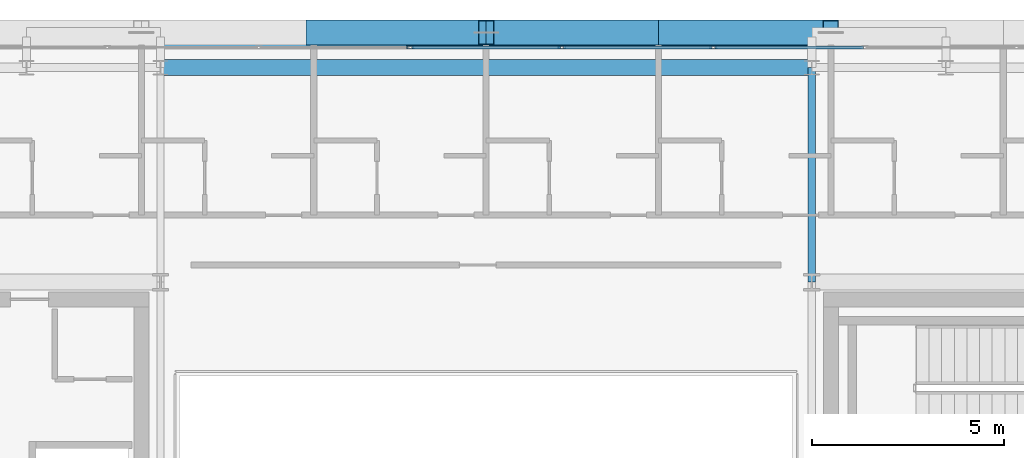
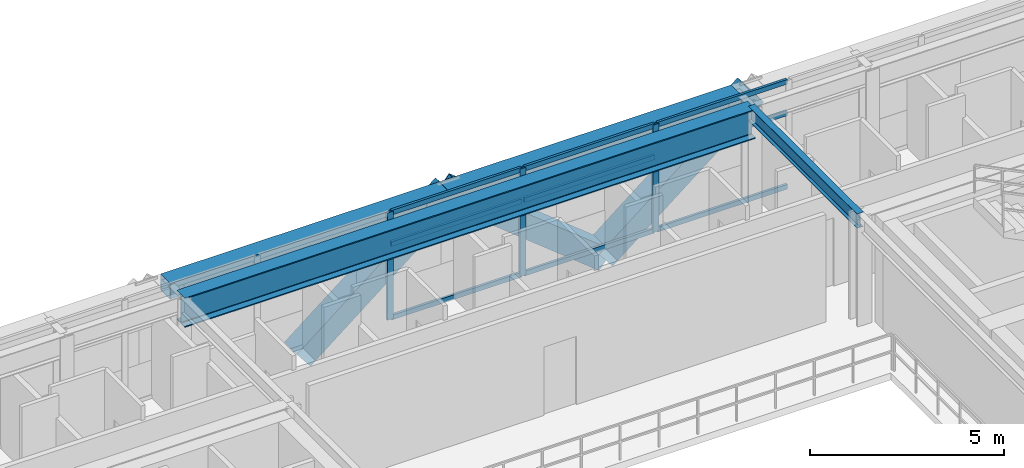
# One storey, part 14 of 28: 15 members, 3 beams, 1 element without a shape of its own.
"""IFC4 building model written with IfcOpenShell, lengths in metres."""

from ifc_helpers import new_model, si_unit, direction, frame, origin, origin_2d, place, context, subcontext, project, spatial, hollow_rectangle, i_section, extrude, source, transform, mapped, material, layer, layer_set, material_profile, profile_set, type_object, element, aggregate, save


model = new_model("IFC4")

# Units and contexts
model_context = context("Model", 3, precision=1e-05, world=origin(), true_north=direction((0.0, 1.0)))
body_context = subcontext(model_context, "Body", "Model", "MODEL_VIEW")
ifc_project = project(units=[si_unit("LENGTHUNIT", "METRE"), si_unit("AREAUNIT", "SQUARE_METRE"), si_unit("VOLUMEUNIT", "CUBIC_METRE"), si_unit("PLANEANGLEUNIT", "RADIAN"), si_unit("MASSUNIT", "GRAM", prefix="KILO")], contexts=[model_context])

# Site, building, storey
site_placement = place(None, origin())
site = spatial("IfcSite", under=ifc_project, at=site_placement, CompositionType="ELEMENT")
building_placement = place(site_placement, origin())
building = spatial("IfcBuilding", under=site, at=building_placement, Name="Ocotamira Hotel", CompositionType="ELEMENT")
storey_placement = place(building_placement, frame((0.0, 0.0, 240.0)))
storey = spatial("IfcBuildingStorey", under=building, at=storey_placement, Name="L60", CompositionType="ELEMENT", Elevation=240.0)

# Beams
ifc_material_1 = material(Name="Steel ASTM A992 Grade 50", Category="steel")
ifc_material_profile_1 = material_profile(ifc_material_1, i_section(OverallWidth=0.41796875, OverallDepth=0.927001953125, WebThickness=0.019287109375, FlangeThickness=0.031982421875, FilletRadius=0.02392578125, at=origin_2d()), Name="W36X231")
ifc_profile_set_1 = profile_set([ifc_material_profile_1], Name="Steel ASTM A992 Grade 50")
beam_type_1 = type_object("IfcBeamType", Name="BM-GIRD-W36X231", PredefinedType="BEAM", material=ifc_profile_set_1)
shared_shape_1 = source(origin(), body_context, "Body", "SweptSolid", [
    extrude(i_section(OverallWidth=0.41796875, OverallDepth=0.927001953125, WebThickness=0.019287109375, FlangeThickness=0.031982421875, FilletRadius=0.02392578125, at=origin_2d()), origin(), (0.0, 0.0, 1.0), 17.0),
])
beam_1_placement = place(storey_placement, frame((23.5, 43.050048828125, 2.91650390625), z_axis=(1.0, 0.0, 0.0), x_axis=(0.0, 1.0, 0.0)))
element("IfcBeam", 1, at=beam_1_placement, inside=storey, type_object=beam_type_1, Name="L60 Girder Y43.05 X23.5-40.5", PredefinedType="BEAM", context=body_context, shape_type="MappedRepresentation", body=[
    mapped(shared_shape_1, transform((0.0, 0.0, 0.0), scale=1.0)),
])
ifc_material_2 = material(Name="Steel ASTM A500 Grade C", Category="steel")
ifc_material_profile_2 = material_profile(ifc_material_2, hollow_rectangle(XDim=0.5, YDim=0.5, WallThickness=0.02001953125, at=origin_2d()), Name="HSS500X500X20")
ifc_profile_set_2 = profile_set([ifc_material_profile_2], Name="Steel ASTM A500 Grade C")
beam_type_2 = type_object("IfcBeamType", Name="BM-SPAN-HSS500", PredefinedType="USERDEFINED", material=ifc_profile_set_2)
shared_shape_2 = source(origin(), body_context, "Body", "SweptSolid", [
    extrude(hollow_rectangle(XDim=0.5, YDim=0.5, WallThickness=0.02001953125, at=origin_2d()), origin(), (0.0, 0.0, 1.0), 17.0),
])
beam_2_placement = place(storey_placement, frame((23.5, 43.85009765625, 3.1298828125), z_axis=(1.0, 0.0, 0.0), x_axis=(0.0, 1.0, 0.0)))
element("IfcBeam", 2, at=beam_2_placement, inside=storey, type_object=beam_type_2, Name="L60 Edge Spandrel N X23.5-40.5", ObjectType="SPANDREL", PredefinedType="USERDEFINED", context=body_context, shape_type="MappedRepresentation", body=[
    mapped(shared_shape_2, transform((0.0, 0.0, 0.0), scale=1.0)),
])
ifc_material_profile_3 = material_profile(ifc_material_1, i_section(OverallWidth=0.18994140625, OverallDepth=0.45703125, WebThickness=0.009033203125, FlangeThickness=0.014404296875, FilletRadius=0.010009765625, at=origin_2d()), Name="W18X50")
ifc_profile_set_3 = profile_set([ifc_material_profile_3], Name="Steel ASTM A992 Grade 50")
beam_type_3 = type_object("IfcBeamType", Name="BM-SEC-W18X50", PredefinedType="JOIST", material=ifc_profile_set_3)
shared_shape_3 = source(origin(), body_context, "Body", "SweptSolid", [
    extrude(i_section(OverallWidth=0.18994140625, OverallDepth=0.45703125, WebThickness=0.009033203125, FlangeThickness=0.014404296875, FilletRadius=0.010009765625, at=origin_2d()), origin(), (0.0, 0.0, 1.0), 5.60009765625),
])
beam_3_placement = place(storey_placement, frame((40.5, 37.449951171875, 3.151611328125), z_axis=(0.0, 1.0, 0.0), x_axis=(-1.0, 0.0, 0.0)))
element("IfcBeam", 3, at=beam_3_placement, inside=storey, type_object=beam_type_3, Name="L60 Beam X40.5 Y37.45-43.05", PredefinedType="JOIST", context=body_context, shape_type="MappedRepresentation", body=[
    mapped(shared_shape_3, transform((0.0, 0.0, 0.0), scale=1.0)),
])

# Members
ifc_material_3 = material(Name="Pale-metal coated steel ASTM A913 Grade 65", Category="steel")
ifc_material_profile_4 = material_profile(ifc_material_3, hollow_rectangle(XDim=0.64990234375, YDim=0.64990234375, WallThickness=0.02197265625, at=origin_2d()), Name="BOX650X650X22")
ifc_profile_set_4 = profile_set([ifc_material_profile_4], Name="Pale-metal coated steel ASTM A913 Grade 65")
member_type_1 = type_object("IfcMemberType", Name="MEM-EXO-BOX650", PredefinedType="BRACE", material=ifc_profile_set_4)
shared_shape_4 = source(origin(), body_context, "Body", "SweptSolid", [
    extrude(hollow_rectangle(XDim=0.64990234375, YDim=0.64990234375, WallThickness=0.02197265625, at=origin_2d()), origin(), (0.0, 0.0, 1.0), 5.7626953125),
])
for number, where, z_axis, x_axis, name in (
    (4, (27.5, 43.969970703125, -0.469970703125), (0.780881208953, 0.0, 0.624679547852), (0.0, 1.0, 0.0), "L60 Exoskeleton Diagrid N1.2"),
    (5, (36.5, 43.969970703125, -0.469970703125), (-0.780881208953, 0.0, 0.624679547852), (0.0, -1.0, 0.0), "L60 Exoskeleton Diagrid N2.1"),
    (6, (36.5, 43.969970703125, -0.469970703125), (0.780881208953, 0.0, 0.624679547852), (0.0, 1.0, 0.0), "L60 Exoskeleton Diagrid N2.2"),
):
    element("IfcMember", number, at=place(storey_placement, frame(where, z_axis=z_axis, x_axis=x_axis)), inside=storey, type_object=member_type_1, Name=name, PredefinedType="BRACE", context=body_context, shape_type="MappedRepresentation", body=[
        mapped(shared_shape_4, transform((0.0, 0.0, 0.0), scale=1.0)),
    ])

# Curtain wall, members
ifc_material_4 = material(Name="Anodised pale-metal aluminium and solar glass", Category="aluminium")
ifc_layer = layer(ifc_material_4, 0.239990234375)
ifc_layer_set = layer_set([ifc_layer], Name="Anodised pale-metal aluminium and solar glass")
curtain_wall_type = type_object("IfcCurtainWallType", Name="CW-SYS5-SKY", PredefinedType="NOTDEFINED", material=ifc_layer_set)
curtain_wall_placement = place(storey_placement, origin())
curtain_wall = element("IfcCurtainWall", 7, at=curtain_wall_placement, inside=storey, type_object=curtain_wall_type, Name="L60 Curtain Wall CW-5 CW-L60-N", PredefinedType="NOTDEFINED")
ifc_material_5 = material(Name="Anodised pale-metal aluminium 6063-T6", Category="aluminium")
ifc_material_profile_5 = material_profile(ifc_material_5, hollow_rectangle(XDim=0.074951171875, YDim=0.14990234375, WallThickness=0.006103515625, at=origin_2d()), Name="HSS150X75X6")
ifc_profile_set_5 = profile_set([ifc_material_profile_5], Name="Anodised pale-metal aluminium 6063-T6")
member_type_2 = type_object("IfcMemberType", Name="CWT-150X75", PredefinedType="USERDEFINED", material=ifc_profile_set_5)
shared_shape_5 = source(origin(), body_context, "Body", "SweptSolid", [
    extrude(hollow_rectangle(XDim=0.074951171875, YDim=0.14990234375, WallThickness=0.006103515625, at=origin_2d()), origin(), (0.0, 0.0, 1.0), 3.87548828125),
])
member_1_placement = place(storey_placement, frame((30.062255859375, 43.580078125, 0.03759765625), z_axis=(1.0, 0.0, 0.0), x_axis=(0.0, 1.0, 0.0)))
member_1 = element("IfcMember", 8, at=member_1_placement, type_object=member_type_2, Name="CW-5 transom 5.1", ObjectType="TRANSOM", PredefinedType="USERDEFINED", context=body_context, shape_type="MappedRepresentation", body=[
    mapped(shared_shape_5, transform((0.0, 0.0, 0.0), scale=1.0)),
])
member_2_placement = place(storey_placement, frame((30.062255859375, 43.580078125, 2.35009765625), z_axis=(1.0, 0.0, 0.0), x_axis=(0.0, 1.0, 0.0)))
member_2 = element("IfcMember", 9, at=member_2_placement, type_object=member_type_2, Name="CW-5 transom 5.2", ObjectType="TRANSOM", PredefinedType="USERDEFINED", context=body_context, shape_type="MappedRepresentation", body=[
    mapped(shared_shape_5, transform((0.0, 0.0, 0.0), scale=1.0)),
])
member_3_placement = place(storey_placement, frame((30.062255859375, 43.580078125, 3.342529296875), z_axis=(1.0, 0.0, 0.0), x_axis=(0.0, 1.0, 0.0)))
member_3 = element("IfcMember", 10, at=member_3_placement, type_object=member_type_2, Name="CW-5 transom 5.3", ObjectType="TRANSOM", PredefinedType="USERDEFINED", context=body_context, shape_type="MappedRepresentation", body=[
    mapped(shared_shape_5, transform((0.0, 0.0, 0.0), scale=1.0)),
])
member_4_placement = place(storey_placement, frame((34.017822265625, 43.580078125, 0.03759765625), z_axis=(1.0, 0.0, 0.0), x_axis=(0.0, 1.0, 0.0)))
member_4 = element("IfcMember", 11, at=member_4_placement, type_object=member_type_2, Name="CW-5 transom 6.1", ObjectType="TRANSOM", PredefinedType="USERDEFINED", context=body_context, shape_type="MappedRepresentation", body=[
    mapped(shared_shape_5, transform((0.0, 0.0, 0.0), scale=1.0)),
])
member_5_placement = place(storey_placement, frame((34.017822265625, 43.580078125, 2.35009765625), z_axis=(1.0, 0.0, 0.0), x_axis=(0.0, 1.0, 0.0)))
member_5 = element("IfcMember", 12, at=member_5_placement, type_object=member_type_2, Name="CW-5 transom 6.2", ObjectType="TRANSOM", PredefinedType="USERDEFINED", context=body_context, shape_type="MappedRepresentation", body=[
    mapped(shared_shape_5, transform((0.0, 0.0, 0.0), scale=1.0)),
])
member_6_placement = place(storey_placement, frame((34.017822265625, 43.580078125, 3.342529296875), z_axis=(1.0, 0.0, 0.0), x_axis=(0.0, 1.0, 0.0)))
member_6 = element("IfcMember", 13, at=member_6_placement, type_object=member_type_2, Name="CW-5 transom 6.3", ObjectType="TRANSOM", PredefinedType="USERDEFINED", context=body_context, shape_type="MappedRepresentation", body=[
    mapped(shared_shape_5, transform((0.0, 0.0, 0.0), scale=1.0)),
])
member_7_placement = place(storey_placement, frame((37.973388671875, 43.580078125, 0.03759765625), z_axis=(1.0, 0.0, 0.0), x_axis=(0.0, 1.0, 0.0)))
member_7 = element("IfcMember", 14, at=member_7_placement, type_object=member_type_2, Name="CW-5 transom 7.1", ObjectType="TRANSOM", PredefinedType="USERDEFINED", context=body_context, shape_type="MappedRepresentation", body=[
    mapped(shared_shape_5, transform((0.0, 0.0, 0.0), scale=1.0)),
])
member_8_placement = place(storey_placement, frame((37.973388671875, 43.580078125, 2.35009765625), z_axis=(1.0, 0.0, 0.0), x_axis=(0.0, 1.0, 0.0)))
member_8 = element("IfcMember", 15, at=member_8_placement, type_object=member_type_2, Name="CW-5 transom 7.2", ObjectType="TRANSOM", PredefinedType="USERDEFINED", context=body_context, shape_type="MappedRepresentation", body=[
    mapped(shared_shape_5, transform((0.0, 0.0, 0.0), scale=1.0)),
])
member_9_placement = place(storey_placement, frame((37.973388671875, 43.580078125, 3.342529296875), z_axis=(1.0, 0.0, 0.0), x_axis=(0.0, 1.0, 0.0)))
member_9 = element("IfcMember", 16, at=member_9_placement, type_object=member_type_2, Name="CW-5 transom 7.3", ObjectType="TRANSOM", PredefinedType="USERDEFINED", context=body_context, shape_type="MappedRepresentation", body=[
    mapped(shared_shape_5, transform((0.0, 0.0, 0.0), scale=1.0)),
])
ifc_material_profile_6 = material_profile(ifc_material_5, hollow_rectangle(XDim=0.080078125, YDim=0.179931640625, WallThickness=0.006103515625, at=origin_2d()), Name="HSS180X80X6")
ifc_profile_set_6 = profile_set([ifc_material_profile_6], Name="Anodised pale-metal aluminium 6063-T6")
member_type_3 = type_object("IfcMemberType", Name="CWM-180X75", PredefinedType="MULLION", material=ifc_profile_set_6)
shared_shape_6 = source(origin(), body_context, "Body", "SweptSolid", [
    extrude(hollow_rectangle(XDim=0.080078125, YDim=0.179931640625, WallThickness=0.006103515625, at=origin_2d()), origin(), (0.0, 0.0, 1.0), 3.3798828125),
])
member_10_placement = place(storey_placement, frame((30.022216796875, 43.580078125, 0.0), z_axis=(0.0, 0.0, 1.0), x_axis=(0.0, 1.0, 0.0)))
member_10 = element("IfcMember", 17, at=member_10_placement, type_object=member_type_3, Name="CW-5 mullion 5", PredefinedType="MULLION", context=body_context, shape_type="MappedRepresentation", body=[
    mapped(shared_shape_6, transform((0.0, 0.0, 0.0), scale=1.0)),
])
member_11_placement = place(storey_placement, frame((33.977783203125, 43.580078125, 0.0), z_axis=(0.0, 0.0, 1.0), x_axis=(0.0, 1.0, 0.0)))
member_11 = element("IfcMember", 18, at=member_11_placement, type_object=member_type_3, Name="CW-5 mullion 6", PredefinedType="MULLION", context=body_context, shape_type="MappedRepresentation", body=[
    mapped(shared_shape_6, transform((0.0, 0.0, 0.0), scale=1.0)),
])
member_12_placement = place(storey_placement, frame((37.933349609375, 43.580078125, 0.0), z_axis=(0.0, 0.0, 1.0), x_axis=(0.0, 1.0, 0.0)))
member_12 = element("IfcMember", 19, at=member_12_placement, type_object=member_type_3, Name="CW-5 mullion 7", PredefinedType="MULLION", context=body_context, shape_type="MappedRepresentation", body=[
    mapped(shared_shape_6, transform((0.0, 0.0, 0.0), scale=1.0)),
])
aggregate(curtain_wall, [member_10, member_11, member_12, member_1, member_2, member_3, member_4, member_5, member_6, member_7, member_8, member_9])

save(model, "model.ifc")
